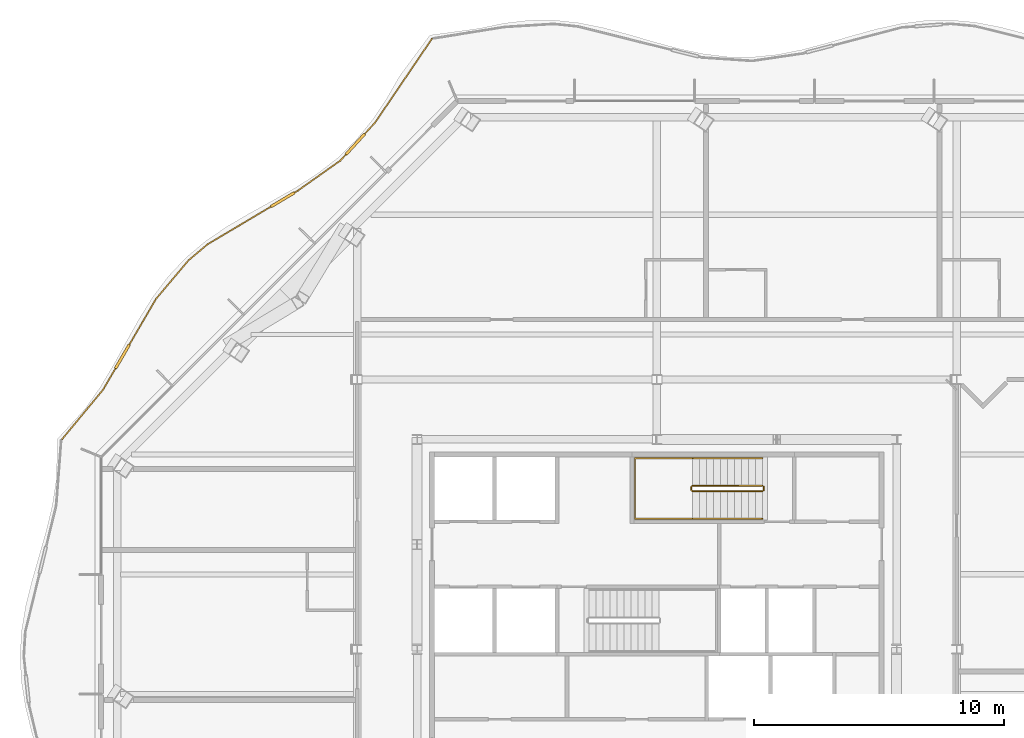
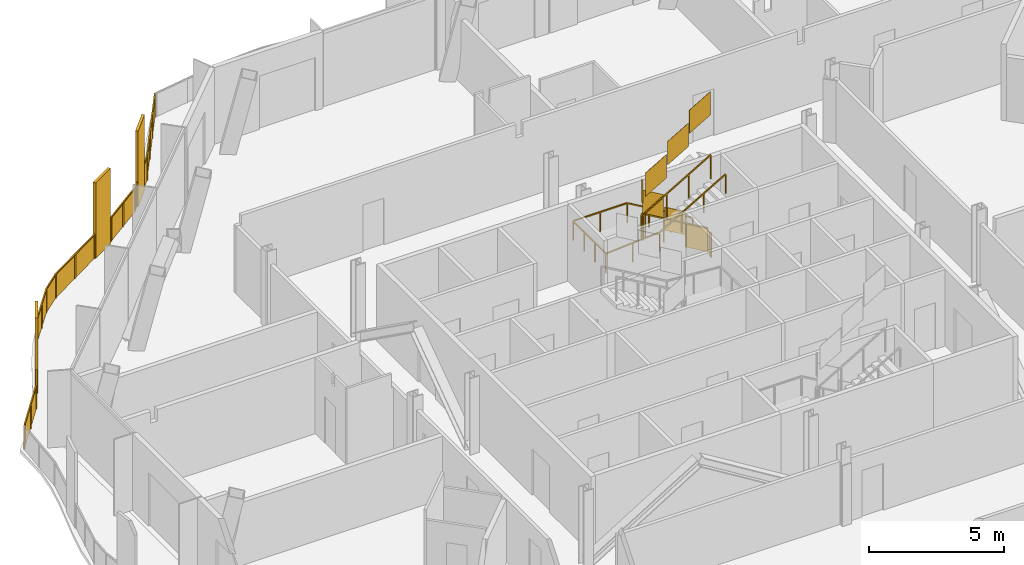
# One storey, part 18 of 19: 4 railings.
"""IFC4 building model written with IfcOpenShell, lengths in metres."""

from ifc_helpers import new_model, si_unit, direction, frame, origin, origin_2d, place, context, subcontext, project, spatial, polyline, rectangle, outline, extrude, material, type_object, element, save


model = new_model("IFC4")

# Units and contexts
model_context = context("Model", 3, precision=1e-05, world=origin(), true_north=direction((0.0, 1.0)))
body_context = subcontext(model_context, "Body", "Model", "MODEL_VIEW")
ifc_project = project(units=[si_unit("LENGTHUNIT", "METRE"), si_unit("AREAUNIT", "SQUARE_METRE"), si_unit("VOLUMEUNIT", "CUBIC_METRE"), si_unit("PLANEANGLEUNIT", "RADIAN"), si_unit("MASSUNIT", "GRAM", prefix="KILO")], contexts=[model_context])

# Site, building, storey
site_placement = place(None, origin())
site = spatial("IfcSite", under=ifc_project, at=site_placement, CompositionType="ELEMENT")
building_placement = place(site_placement, origin())
building = spatial("IfcBuilding", under=site, at=building_placement, Name="Cairn Pilgrim Tower", CompositionType="ELEMENT")
storey_placement = place(building_placement, frame((0.0, 0.0, 193.800048828125)))
storey = spatial("IfcBuildingStorey", under=building, at=storey_placement, Name="L49", CompositionType="ELEMENT", Elevation=193.800048828125)

# Railings
ifc_material_1 = material(Name="Bronze anodised aluminium rail, posts and fin screens with laminated glass infill", Category="aluminium")
railing_type_1 = type_object("IfcRailingType", Name="BALCONY GUARD WITH FIN SCREENS", PredefinedType="GUARDRAIL", material=ifc_material_1)
railing_1_placement = place(storey_placement, frame((-1.80126953125, 26.85009765625, 0.0)))
element("IfcRailing", 1, at=railing_1_placement, inside=storey, type_object=railing_type_1, Name="Balcony guard BGF-6 with fin screens", PredefinedType="GUARDRAIL", context=body_context, shape_type="SweptSolid", body=[
    extrude(rectangle(XDim=0.050048828125, YDim=0.050048828125, at=origin_2d()), frame((0.0, 0.0, 1.0751953125), z_axis=(-0.561392691301, -0.827549543021, 0.0), x_axis=(0.827549543021, -0.561392691301, 0.0)), (0.0, 0.0, 1.0), 4.0634765625),
    extrude(rectangle(XDim=1.10009765625, YDim=0.110107421875, at=origin_2d()), frame((-3.072998046875, -4.228271484375, 0.0), z_axis=(0.0, 0.0, 1.0), x_axis=(-0.674905306533, -0.737904348282, 0.0)), (0.0, 0.0, 1.0), 3.39990234375),
    extrude(rectangle(XDim=0.050048828125, YDim=0.050048828125, at=origin_2d()), frame((-2.28125, -3.36279296875, 1.0751953125), z_axis=(-0.674905306533, -0.737904348282, 0.0), x_axis=(0.737904348282, -0.674905306533, 0.0)), (0.0, 0.0, 1.0), 0.623046875),
    extrude(rectangle(XDim=0.050048828125, YDim=0.050048828125, at=origin_2d()), frame((-3.444091796875, -4.63427734375, 1.0751953125), z_axis=(-0.674905306533, -0.737904348282, 0.0), x_axis=(0.737904348282, -0.674905306533, 0.0)), (0.0, 0.0, 1.0), 0.342529296875),
    extrude(rectangle(XDim=0.050048828125, YDim=0.050048828125, at=origin_2d()), frame((-3.67529296875, -4.886962890625, 1.0751953125), z_axis=(-0.816747511347, -0.576995236297, 0.0), x_axis=(0.576995236297, -0.816747511347, 0.0)), (0.0, 0.0, 1.0), 2.088623046875),
    extrude(rectangle(XDim=1.10009765625, YDim=0.110107421875, at=origin_2d()), frame((-5.982666015625, -6.44970703125, 0.0), z_axis=(0.0, 0.0, 1.0), x_axis=(-0.859616005079, -0.510940626504, 0.0)), (0.0, 0.0, 1.0), 3.39990234375),
    extrude(rectangle(XDim=0.050048828125, YDim=0.050048828125, at=origin_2d()), frame((-5.381103515625, -6.092041015625, 1.0751953125), z_axis=(-0.859616005079, -0.510940626504, 0.0), x_axis=(0.510940626504, -0.859616005079, 0.0)), (0.0, 0.0, 1.0), 0.14990234375),
    extrude(rectangle(XDim=0.050048828125, YDim=0.050048828125, at=origin_2d()), frame((-6.45556640625, -6.730712890625, 1.0751953125), z_axis=(-0.859616005079, -0.510940626504, 0.0), x_axis=(0.510940626504, -0.859616005079, 0.0)), (0.0, 0.0, 1.0), 2.9462890625),
    extrude(rectangle(XDim=0.050048828125, YDim=0.050048828125, at=origin_2d()), frame((-8.98828125, -8.236083984375, 1.0751953125), z_axis=(-0.765120746252, -0.643886825191, 0.0), x_axis=(0.643886825191, -0.765120746252, 0.0)), (0.0, 0.0, 1.0), 0.996826171875),
    extrude(rectangle(XDim=0.050048828125, YDim=0.050048828125, at=origin_2d()), frame((-9.7509765625, -8.8779296875, 1.0751953125), z_axis=(-0.644683209667, -0.764449840849, 0.0), x_axis=(0.764449840849, -0.644683209667, 0.0)), (0.0, 0.0, 1.0), 2.01806640625),
    extrude(rectangle(XDim=1.10009765625, YDim=0.110107421875, at=origin_2d()), frame((-12.401123046875, -12.735107421875, 0.0), z_axis=(0.0, 0.0, 1.0), x_axis=(-0.503618682683, -0.863926051496, 0.0)), (0.0, 0.0, 1.0), 3.39990234375),
    extrude(rectangle(XDim=0.050048828125, YDim=0.050048828125, at=origin_2d()), frame((-11.052001953125, -10.420654296875, 1.0751953125), z_axis=(-0.503618682683, -0.863926051496, 0.0), x_axis=(0.863926051496, -0.503618682683, 0.0)), (0.0, 0.0, 1.0), 2.12890625),
    extrude(rectangle(XDim=0.050048828125, YDim=0.050048828125, at=origin_2d()), frame((-12.67822265625, -13.210205078125, 1.0751953125), z_axis=(-0.503618682683, -0.863926051496, 0.0), x_axis=(0.863926051496, -0.503618682683, 0.0)), (0.0, 0.0, 1.0), 0.982177734375),
    extrude(rectangle(XDim=0.050048828125, YDim=0.050048828125, at=origin_2d()), frame((-13.1728515625, -14.058837890625, 1.0751953125), z_axis=(-0.637961631648, -0.770068150585, 0.0), x_axis=(0.770068150585, -0.637961631648, 0.0)), (0.0, 0.0, 1.0), 2.574462890625),
    extrude(rectangle(XDim=0.050048828125, YDim=0.050048828125, at=origin_2d()), origin(), (0.0, 0.0, 1.0), 1.050048828125),
    extrude(rectangle(XDim=0.050048828125, YDim=0.050048828125, at=origin_2d()), frame((-0.760498046875, -1.120849609375, 0.0)), (0.0, 0.0, 1.0), 1.050048828125),
    extrude(rectangle(XDim=0.050048828125, YDim=0.050048828125, at=origin_2d()), frame((-1.520751953125, -2.241943359375, 0.0)), (0.0, 0.0, 1.0), 1.050048828125),
    extrude(rectangle(XDim=0.050048828125, YDim=0.050048828125, at=origin_2d()), frame((-2.28125, -3.36279296875, 0.0)), (0.0, 0.0, 1.0), 1.050048828125),
    extrude(rectangle(XDim=0.050048828125, YDim=0.050048828125, at=origin_2d()), frame((-2.684814453125, -3.803955078125, 0.0)), (0.0, 0.0, 1.0), 1.050048828125),
    extrude(rectangle(XDim=0.050048828125, YDim=0.050048828125, at=origin_2d()), frame((-3.4609375, -4.652587890625, 0.0)), (0.0, 0.0, 1.0), 1.050048828125),
    extrude(rectangle(XDim=0.050048828125, YDim=0.050048828125, at=origin_2d()), frame((-3.67529296875, -4.886962890625, 0.0)), (0.0, 0.0, 1.0), 1.050048828125),
    extrude(rectangle(XDim=0.050048828125, YDim=0.050048828125, at=origin_2d()), frame((-4.5283203125, -5.489501953125, 0.0)), (0.0, 0.0, 1.0), 1.050048828125),
    extrude(rectangle(XDim=0.050048828125, YDim=0.050048828125, at=origin_2d()), frame((-5.381103515625, -6.092041015625, 0.0)), (0.0, 0.0, 1.0), 1.050048828125),
    extrude(rectangle(XDim=0.050048828125, YDim=0.050048828125, at=origin_2d()), frame((-5.488525390625, -6.15576171875, 0.0)), (0.0, 0.0, 1.0), 1.050048828125),
    extrude(rectangle(XDim=0.050048828125, YDim=0.050048828125, at=origin_2d()), frame((-6.47705078125, -6.743408203125, 0.0)), (0.0, 0.0, 1.0), 1.050048828125),
    extrude(rectangle(XDim=0.050048828125, YDim=0.050048828125, at=origin_2d()), frame((-7.732666015625, -7.48974609375, 0.0)), (0.0, 0.0, 1.0), 1.050048828125),
    extrude(rectangle(XDim=0.050048828125, YDim=0.050048828125, at=origin_2d()), frame((-8.98828125, -8.236083984375, 0.0)), (0.0, 0.0, 1.0), 1.050048828125),
    extrude(rectangle(XDim=0.050048828125, YDim=0.050048828125, at=origin_2d()), frame((-9.7509765625, -8.8779296875, 0.0)), (0.0, 0.0, 1.0), 1.050048828125),
    extrude(rectangle(XDim=0.050048828125, YDim=0.050048828125, at=origin_2d()), frame((-10.4013671875, -9.6494140625, 0.0)), (0.0, 0.0, 1.0), 1.050048828125),
    extrude(rectangle(XDim=0.050048828125, YDim=0.050048828125, at=origin_2d()), frame((-11.052001953125, -10.420654296875, 0.0)), (0.0, 0.0, 1.0), 1.050048828125),
    extrude(rectangle(XDim=0.050048828125, YDim=0.050048828125, at=origin_2d()), frame((-11.581787109375, -11.32958984375, 0.0)), (0.0, 0.0, 1.0), 1.050048828125),
    extrude(rectangle(XDim=0.050048828125, YDim=0.050048828125, at=origin_2d()), frame((-12.111572265625, -12.23828125, 0.0)), (0.0, 0.0, 1.0), 1.050048828125),
    extrude(rectangle(XDim=0.050048828125, YDim=0.050048828125, at=origin_2d()), frame((-12.690673828125, -13.23193359375, 0.0)), (0.0, 0.0, 1.0), 1.050048828125),
    extrude(rectangle(XDim=0.050048828125, YDim=0.050048828125, at=origin_2d()), frame((-13.1728515625, -14.058837890625, 0.0)), (0.0, 0.0, 1.0), 1.050048828125),
    extrude(rectangle(XDim=0.050048828125, YDim=0.050048828125, at=origin_2d()), frame((-13.994140625, -15.050048828125, 0.0)), (0.0, 0.0, 1.0), 1.050048828125),
    extrude(rectangle(XDim=0.050048828125, YDim=0.050048828125, at=origin_2d()), frame((-14.815185546875, -16.041259765625, 0.0)), (0.0, 0.0, 1.0), 1.050048828125),
    extrude(outline(polyline([(0.02490234375, 0.0), (1.32958984375, 0.0), (1.32958984375, 1.050048828125), (0.02490234375, 1.050048828125), (0.02490234375, 0.0)])), frame((0.0048828125, -0.00341796875, 0.0), z_axis=(-0.827549543021, 0.561392691301, 0.0), x_axis=(-0.561392691301, -0.827549543021, 0.0)), (0.0, 0.0, 1.0), 0.011962890625),
    extrude(outline(polyline([(0.02490234375, 0.0), (1.32958984375, 0.0), (1.32958984375, 1.050048828125), (0.02490234375, 1.050048828125), (0.02490234375, 0.0)])), frame((-0.75537109375, -1.124267578125, 0.0), z_axis=(-0.827549543021, 0.561392691301, 0.0), x_axis=(-0.561392691301, -0.827549543021, 0.0)), (0.0, 0.0, 1.0), 0.011962890625),
    extrude(outline(polyline([(0.02490234375, 0.0), (1.32958984375, 0.0), (1.32958984375, 1.050048828125), (0.02490234375, 1.050048828125), (0.02490234375, 0.0)])), frame((-1.515869140625, -2.2451171875, 0.0), z_axis=(-0.827549543021, 0.561392691301, 0.0), x_axis=(-0.561392691301, -0.827549543021, 0.0)), (0.0, 0.0, 1.0), 0.011962890625),
    extrude(outline(polyline([(0.02490234375, 0.0), (0.572998046875, 0.0), (0.572998046875, 1.050048828125), (0.02490234375, 1.050048828125), (0.02490234375, 0.0)])), frame((-2.27685546875, -3.366943359375, 0.0), z_axis=(-0.737904348282, 0.674905306533, 0.0), x_axis=(-0.674905306533, -0.737904348282, 0.0)), (0.0, 0.0, 1.0), 0.011962890625),
    extrude(outline(polyline([(0.02490234375, 0.0), (0.29248046875, 0.0), (0.29248046875, 1.050048828125), (0.02490234375, 1.050048828125), (0.02490234375, 0.0)])), frame((-3.45654296875, -4.65673828125, 0.0), z_axis=(-0.737904348282, 0.674905306533, 0.0), x_axis=(-0.674905306533, -0.737904348282, 0.0)), (0.0, 0.0, 1.0), 0.011962890625),
    extrude(outline(polyline([(0.02490234375, 0.0), (1.019287109375, 0.0), (1.019287109375, 1.050048828125), (0.02490234375, 1.050048828125), (0.02490234375, 0.0)])), frame((-3.671875, -4.891845703125, 0.0), z_axis=(-0.576995236297, 0.816747511347, 0.0), x_axis=(-0.816747511347, -0.576995236297, 0.0)), (0.0, 0.0, 1.0), 0.011962890625),
    extrude(outline(polyline([(0.02490234375, 0.0), (1.019287109375, 0.0), (1.019287109375, 1.050048828125), (0.02490234375, 1.050048828125), (0.02490234375, 0.0)])), frame((-4.524658203125, -5.494384765625, 0.0), z_axis=(-0.576995236297, 0.816747511347, 0.0), x_axis=(-0.816747511347, -0.576995236297, 0.0)), (0.0, 0.0, 1.0), 0.011962890625),
    extrude(outline(polyline([(0.02490234375, 0.0), (0.099853515625, 0.0), (0.099853515625, 1.050048828125), (0.02490234375, 1.050048828125), (0.02490234375, 0.0)])), frame((-5.3779296875, -6.09716796875, 0.0), z_axis=(-0.510940626504, 0.859616005079, 0.0), x_axis=(-0.859616005079, -0.510940626504, 0.0)), (0.0, 0.0, 1.0), 0.011962890625),
    extrude(outline(polyline([(0.02490234375, 0.0), (1.435546875, 0.0), (1.435546875, 1.050048828125), (0.02490234375, 1.050048828125), (0.02490234375, 0.0)])), frame((-6.473876953125, -6.74853515625, 0.0), z_axis=(-0.510940626504, 0.859616005079, 0.0), x_axis=(-0.859616005079, -0.510940626504, 0.0)), (0.0, 0.0, 1.0), 0.011962890625),
    extrude(outline(polyline([(0.02490234375, 0.0), (1.435546875, 0.0), (1.435546875, 1.050048828125), (0.02490234375, 1.050048828125), (0.02490234375, 0.0)])), frame((-7.7294921875, -7.494873046875, 0.0), z_axis=(-0.510940626504, 0.859616005079, 0.0), x_axis=(-0.859616005079, -0.510940626504, 0.0)), (0.0, 0.0, 1.0), 0.011962890625),
    extrude(outline(polyline([(0.02490234375, 0.0), (0.971923828125, 0.0), (0.971923828125, 1.050048828125), (0.02490234375, 1.050048828125), (0.02490234375, 0.0)])), frame((-8.984375, -8.24072265625, 0.0), z_axis=(-0.643886825191, 0.765120746252, 0.0), x_axis=(-0.765120746252, -0.643886825191, 0.0)), (0.0, 0.0, 1.0), 0.011962890625),
    extrude(outline(polyline([(0.02490234375, 0.0), (0.984130859375, 0.0), (0.984130859375, 1.050048828125), (0.02490234375, 1.050048828125), (0.02490234375, 0.0)])), frame((-9.746337890625, -8.8818359375, 0.0), z_axis=(-0.764449840849, 0.644683209667, 0.0), x_axis=(-0.644683209667, -0.764449840849, 0.0)), (0.0, 0.0, 1.0), 0.011962890625),
    extrude(outline(polyline([(0.02490234375, 0.0), (0.984130859375, 0.0), (0.984130859375, 1.050048828125), (0.02490234375, 1.050048828125), (0.02490234375, 0.0)])), frame((-10.39697265625, -9.653076171875, 0.0), z_axis=(-0.764449840849, 0.644683209667, 0.0), x_axis=(-0.644683209667, -0.764449840849, 0.0)), (0.0, 0.0, 1.0), 0.011962890625),
    extrude(outline(polyline([(0.02490234375, 0.0), (1.02685546875, 0.0), (1.02685546875, 1.050048828125), (0.02490234375, 1.050048828125), (0.02490234375, 0.0)])), frame((-11.046875, -10.423583984375, 0.0), z_axis=(-0.863926051496, 0.503618682683, 0.0), x_axis=(-0.503618682683, -0.863926051496, 0.0)), (0.0, 0.0, 1.0), 0.011962890625),
    extrude(outline(polyline([(0.02490234375, 0.0), (1.02685546875, 0.0), (1.02685546875, 1.050048828125), (0.02490234375, 1.050048828125), (0.02490234375, 0.0)])), frame((-11.57666015625, -11.33251953125, 0.0), z_axis=(-0.863926051496, 0.503618682683, 0.0), x_axis=(-0.503618682683, -0.863926051496, 0.0)), (0.0, 0.0, 1.0), 0.011962890625),
    extrude(outline(polyline([(0.02490234375, 0.0), (0.93212890625, 0.0), (0.93212890625, 1.050048828125), (0.02490234375, 1.050048828125), (0.02490234375, 0.0)])), frame((-12.685546875, -13.23486328125, 0.0), z_axis=(-0.863926051496, 0.503618682683, 0.0), x_axis=(-0.503618682683, -0.863926051496, 0.0)), (0.0, 0.0, 1.0), 0.011962890625),
    extrude(outline(polyline([(0.02490234375, 0.0), (1.26220703125, 0.0), (1.26220703125, 1.050048828125), (0.02490234375, 1.050048828125), (0.02490234375, 0.0)])), frame((-13.168212890625, -14.062744140625, 0.0), z_axis=(-0.770068150585, 0.637961631648, 0.0), x_axis=(-0.637961631648, -0.770068150585, 0.0)), (0.0, 0.0, 1.0), 0.011962890625),
    extrude(outline(polyline([(0.02490234375, 0.0), (1.26220703125, 0.0), (1.26220703125, 1.050048828125), (0.02490234375, 1.050048828125), (0.02490234375, 0.0)])), frame((-13.989501953125, -15.053955078125, 0.0), z_axis=(-0.770068150585, 0.637961631648, 0.0), x_axis=(-0.637961631648, -0.770068150585, 0.0)), (0.0, 0.0, 1.0), 0.011962890625),
])
ifc_material_2 = material(Name="Painted steel", Category="steel")
railing_type_2 = type_object("IfcRailingType", Name="STAIR GUARD 1100", PredefinedType="GUARDRAIL", material=ifc_material_2)
railing_2_placement = place(storey_placement, frame((11.425048828125, 8.949951171875, 0.16357421875)))
element("IfcRailing", 2, at=railing_2_placement, inside=storey, type_object=railing_type_2, Name="L49 ST-C stair guard 1", PredefinedType="GUARDRAIL", context=body_context, shape_type="SweptSolid", body=[
    extrude(rectangle(XDim=0.048095703125, YDim=0.048095703125, at=origin_2d()), frame((0.0, 0.0, 1.076171875), z_axis=(-0.863360870873, 0.0, 0.504586966384), x_axis=(0.0, -1.0, 0.0)), (0.0, 0.0, 1.0), 3.2431640625),
    extrude(rectangle(XDim=0.048095703125, YDim=0.048095703125, at=origin_2d()), frame((-2.800048828125, 0.0, 2.71240234375), z_axis=(-0.707106781187, -0.707106781187, 0.0), x_axis=(0.707106781187, -0.707106781187, 0.0)), (0.0, 0.0, 1.0), 0.07080078125),
    extrude(rectangle(XDim=0.048095703125, YDim=0.048095703125, at=origin_2d()), frame((-2.85009765625, -0.050048828125, 2.71240234375), z_axis=(0.0, -1.0, 0.0), x_axis=(1.0, 0.0, 0.0)), (0.0, 0.0, 1.0), 0.125),
    extrude(rectangle(XDim=0.048095703125, YDim=0.048095703125, at=origin_2d()), frame((-2.85009765625, -0.175048828125, 2.71240234375), z_axis=(0.280916556609, -0.279546231943, 0.91811752648), x_axis=(0.705375805398, 0.708833529934, 0.0)), (0.0, 0.0, 1.0), 0.17822265625),
    extrude(rectangle(XDim=0.048095703125, YDim=0.048095703125, at=origin_2d()), frame((-2.800048828125, -0.224853515625, 2.8759765625), z_axis=(0.863393664356, 0.0, 0.504530851732), x_axis=(0.0, 1.0, 0.0)), (0.0, 0.0, 1.0), 3.2431640625),
    extrude(rectangle(XDim=0.0419921875, YDim=0.0419921875, at=origin_2d()), origin(), (0.0, 0.0, 1.0), 1.052001953125),
    extrude(rectangle(XDim=0.0419921875, YDim=0.0419921875, at=origin_2d()), frame((-0.933349609375, 0.0, 0.54541015625)), (0.0, 0.0, 1.0), 1.052001953125),
    extrude(rectangle(XDim=0.0419921875, YDim=0.0419921875, at=origin_2d()), frame((-1.86669921875, 0.0, 1.091064453125)), (0.0, 0.0, 1.0), 1.052001953125),
    extrude(rectangle(XDim=0.0419921875, YDim=0.0419921875, at=origin_2d()), frame((-2.800048828125, 0.0, 1.636474609375)), (0.0, 0.0, 1.0), 1.052001953125),
    extrude(rectangle(XDim=0.0419921875, YDim=0.0419921875, at=origin_2d()), frame((-2.85009765625, -0.050048828125, 1.636474609375)), (0.0, 0.0, 1.0), 1.052001953125),
    extrude(rectangle(XDim=0.0419921875, YDim=0.0419921875, at=origin_2d()), frame((-2.85009765625, -0.175048828125, 1.636474609375)), (0.0, 0.0, 1.0), 1.052001953125),
    extrude(rectangle(XDim=0.0419921875, YDim=0.0419921875, at=origin_2d()), frame((-2.800048828125, -0.224853515625, 1.800048828125)), (0.0, 0.0, 1.0), 1.052001953125),
    extrude(rectangle(XDim=0.0419921875, YDim=0.0419921875, at=origin_2d()), frame((-1.86669921875, -0.224853515625, 2.345458984375)), (0.0, 0.0, 1.0), 1.052001953125),
    extrude(rectangle(XDim=0.0419921875, YDim=0.0419921875, at=origin_2d()), frame((-0.933349609375, -0.224853515625, 2.890869140625)), (0.0, 0.0, 1.0), 1.052001953125),
    extrude(rectangle(XDim=0.0419921875, YDim=0.0419921875, at=origin_2d()), frame((0.0, -0.224853515625, 3.436279296875)), (0.0, 0.0, 1.0), 1.052001953125),
    extrude(outline(polyline([(0.02099609375, 0.01220703125), (0.912353515625, 0.533203125), (0.912353515625, 1.585205078125), (0.02099609375, 1.064208984375), (0.02099609375, 0.01220703125)])), frame((0.0, -0.005859375, 0.0), z_axis=(0.0, 1.0, 0.0), x_axis=(-1.0, 0.0, 0.0)), (0.0, 0.0, 1.0), 0.011962890625),
    extrude(outline(polyline([(0.02099609375, 0.557861328125), (0.912353515625, 1.07861328125), (0.912353515625, 2.130615234375), (0.02099609375, 1.60986328125), (0.02099609375, 0.557861328125)])), frame((-0.933349609375, -0.005859375, 0.54541015625), z_axis=(0.0, 1.0, 0.0), x_axis=(-1.0, 0.0, 0.0)), (0.0, 0.0, 1.0), 0.011962890625),
    extrude(outline(polyline([(0.02099609375, 1.103271484375), (0.912353515625, 1.624267578125), (0.912353515625, 2.67626953125), (0.02099609375, 2.1552734375), (0.02099609375, 1.103271484375)])), frame((-1.86669921875, -0.005859375, 1.091064453125), z_axis=(0.0, 1.0, 0.0), x_axis=(-1.0, 0.0, 0.0)), (0.0, 0.0, 1.0), 0.011962890625),
    extrude(outline(polyline([(0.02099609375, 1.636474609375), (0.10400390625, 1.636474609375), (0.10400390625, 2.6884765625), (0.02099609375, 2.6884765625), (0.02099609375, 1.636474609375)])), frame((-2.84423828125, -0.050048828125, 1.636474609375), z_axis=(-1.0, 0.0, 0.0), x_axis=(0.0, -1.0, 0.0)), (0.0, 0.0, 1.0), 0.011962890625),
    extrude(outline(polyline([(0.02099609375, 1.812255859375), (0.912353515625, 2.333251953125), (0.912353515625, 3.38525390625), (0.02099609375, 2.8642578125), (0.02099609375, 1.812255859375)])), frame((-2.800048828125, -0.21875, 1.800048828125), z_axis=(0.0, -1.0, 0.0), x_axis=(1.0, 0.0, 0.0)), (0.0, 0.0, 1.0), 0.011962890625),
    extrude(outline(polyline([(0.02099609375, 2.357666015625), (0.912353515625, 2.878662109375), (0.912353515625, 3.9306640625), (0.02099609375, 3.40966796875), (0.02099609375, 2.357666015625)])), frame((-1.86669921875, -0.21875, 2.345458984375), z_axis=(0.0, -1.0, 0.0), x_axis=(1.0, 0.0, 0.0)), (0.0, 0.0, 1.0), 0.011962890625),
    extrude(outline(polyline([(0.02099609375, 2.903076171875), (0.912353515625, 3.424072265625), (0.912353515625, 4.47607421875), (0.02099609375, 3.955078125), (0.02099609375, 2.903076171875)])), frame((-0.933349609375, -0.21875, 2.890869140625), z_axis=(0.0, -1.0, 0.0), x_axis=(1.0, 0.0, 0.0)), (0.0, 0.0, 1.0), 0.011962890625),
])
railing_3_placement = place(storey_placement, frame((11.47509765625, 8.89990234375, 0.0)))
element("IfcRailing", 3, at=railing_3_placement, inside=storey, type_object=railing_type_2, Name="L49 ST-C stair guard 2", PredefinedType="GUARDRAIL", context=body_context, shape_type="SweptSolid", body=[
    extrude(rectangle(XDim=0.048095703125, YDim=0.048095703125, at=origin_2d()), frame((0.0, 0.0, 1.076171875), z_axis=(0.0, -1.0, 0.0), x_axis=(1.0, 0.0, 0.0)), (0.0, 0.0, 1.0), 0.125),
    extrude(rectangle(XDim=0.0419921875, YDim=0.0419921875, at=origin_2d()), origin(), (0.0, 0.0, 1.0), 1.052001953125),
    extrude(rectangle(XDim=0.0419921875, YDim=0.0419921875, at=origin_2d()), frame((0.0, -0.125, 0.0)), (0.0, 0.0, 1.0), 1.052001953125),
    extrude(outline(polyline([(0.02099609375, 0.0), (0.10400390625, 0.0), (0.10400390625, 1.052001953125), (0.02099609375, 1.052001953125), (0.02099609375, 0.0)])), frame((0.005859375, 0.0, 0.0), z_axis=(-1.0, 0.0, 0.0), x_axis=(0.0, -1.0, 0.0)), (0.0, 0.0, 1.0), 0.011962890625),
])
railing_type_3 = type_object("IfcRailingType", Name="STAIR HANDRAIL 900", PredefinedType="HANDRAIL", material=ifc_material_2)
railing_4_placement = place(storey_placement, frame((11.425048828125, 10.050048828125, 0.16357421875)))
element("IfcRailing", 4, at=railing_4_placement, inside=storey, type_object=railing_type_3, Name="L49 ST-C stair handrail 1", PredefinedType="HANDRAIL", context=body_context, shape_type="SweptSolid", body=[
    extrude(rectangle(XDim=0.048095703125, YDim=0.048095703125, at=origin_2d()), frame((0.0, 0.0, 0.8759765625), z_axis=(-0.863360870873, 0.0, 0.504586966384), x_axis=(0.0, -1.0, 0.0)), (0.0, 0.0, 1.0), 3.2431640625),
    extrude(rectangle(XDim=0.048095703125, YDim=0.048095703125, at=origin_2d()), frame((-2.800048828125, 0.0, 2.51220703125), z_axis=(-1.0, 0.0, 0.0), x_axis=(0.0, -1.0, 0.0)), (0.0, 0.0, 1.0), 2.300048828125),
    extrude(rectangle(XDim=0.048095703125, YDim=0.048095703125, at=origin_2d()), frame((-5.10009765625, 0.0, 2.51220703125), z_axis=(0.0, -1.0, 0.0), x_axis=(1.0, 0.0, 0.0)), (0.0, 0.0, 1.0), 2.425048828125),
    extrude(rectangle(XDim=0.048095703125, YDim=0.048095703125, at=origin_2d()), frame((-5.10009765625, -2.425048828125, 2.51220703125), z_axis=(0.997480687736, 0.0, 0.070938548008), x_axis=(0.0, 1.0, 0.0)), (0.0, 0.0, 1.0), 2.305908203125),
    extrude(rectangle(XDim=0.048095703125, YDim=0.048095703125, at=origin_2d()), frame((-2.800048828125, -2.425048828125, 2.67578125), z_axis=(0.863393664356, 0.0, 0.504530851732), x_axis=(0.0, 1.0, 0.0)), (0.0, 0.0, 1.0), 3.2431640625),
    extrude(rectangle(XDim=0.0419921875, YDim=0.0419921875, at=origin_2d()), origin(), (0.0, 0.0, 1.0), 0.851806640625),
    extrude(rectangle(XDim=0.0419921875, YDim=0.0419921875, at=origin_2d()), frame((-0.933349609375, 0.0, 0.54541015625)), (0.0, 0.0, 1.0), 0.851806640625),
    extrude(rectangle(XDim=0.0419921875, YDim=0.0419921875, at=origin_2d()), frame((-1.86669921875, 0.0, 1.091064453125)), (0.0, 0.0, 1.0), 0.851806640625),
    extrude(rectangle(XDim=0.0419921875, YDim=0.0419921875, at=origin_2d()), frame((-2.800048828125, 0.0, 1.636474609375)), (0.0, 0.0, 1.0), 0.851806640625),
    extrude(rectangle(XDim=0.0419921875, YDim=0.0419921875, at=origin_2d()), frame((-3.9501953125, 0.0, 1.636474609375)), (0.0, 0.0, 1.0), 0.851806640625),
    extrude(rectangle(XDim=0.0419921875, YDim=0.0419921875, at=origin_2d()), frame((-5.10009765625, 0.0, 1.636474609375)), (0.0, 0.0, 1.0), 0.851806640625),
    extrude(rectangle(XDim=0.0419921875, YDim=0.0419921875, at=origin_2d()), frame((-5.10009765625, -0.808349609375, 1.636474609375)), (0.0, 0.0, 1.0), 0.851806640625),
    extrude(rectangle(XDim=0.0419921875, YDim=0.0419921875, at=origin_2d()), frame((-5.10009765625, -1.61669921875, 1.636474609375)), (0.0, 0.0, 1.0), 0.851806640625),
    extrude(rectangle(XDim=0.0419921875, YDim=0.0419921875, at=origin_2d()), frame((-5.10009765625, -2.425048828125, 1.636474609375)), (0.0, 0.0, 1.0), 0.851806640625),
    extrude(rectangle(XDim=0.0419921875, YDim=0.0419921875, at=origin_2d()), frame((-3.9501953125, -2.425048828125, 1.71826171875)), (0.0, 0.0, 1.0), 0.851806640625),
    extrude(rectangle(XDim=0.0419921875, YDim=0.0419921875, at=origin_2d()), frame((-2.800048828125, -2.425048828125, 1.800048828125)), (0.0, 0.0, 1.0), 0.851806640625),
    extrude(rectangle(XDim=0.0419921875, YDim=0.0419921875, at=origin_2d()), frame((-1.86669921875, -2.425048828125, 2.345458984375)), (0.0, 0.0, 1.0), 0.851806640625),
    extrude(rectangle(XDim=0.0419921875, YDim=0.0419921875, at=origin_2d()), frame((-0.933349609375, -2.425048828125, 2.890869140625)), (0.0, 0.0, 1.0), 0.851806640625),
    extrude(rectangle(XDim=0.0419921875, YDim=0.0419921875, at=origin_2d()), frame((0.0, -2.425048828125, 3.436279296875)), (0.0, 0.0, 1.0), 0.851806640625),
])

save(model, "model.ifc")
